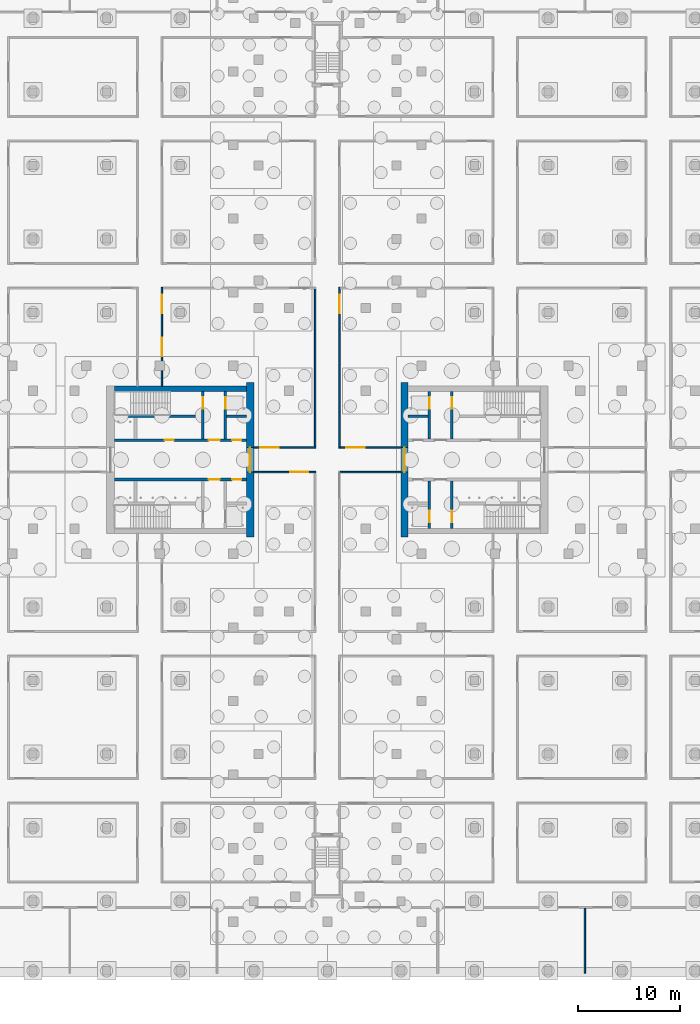
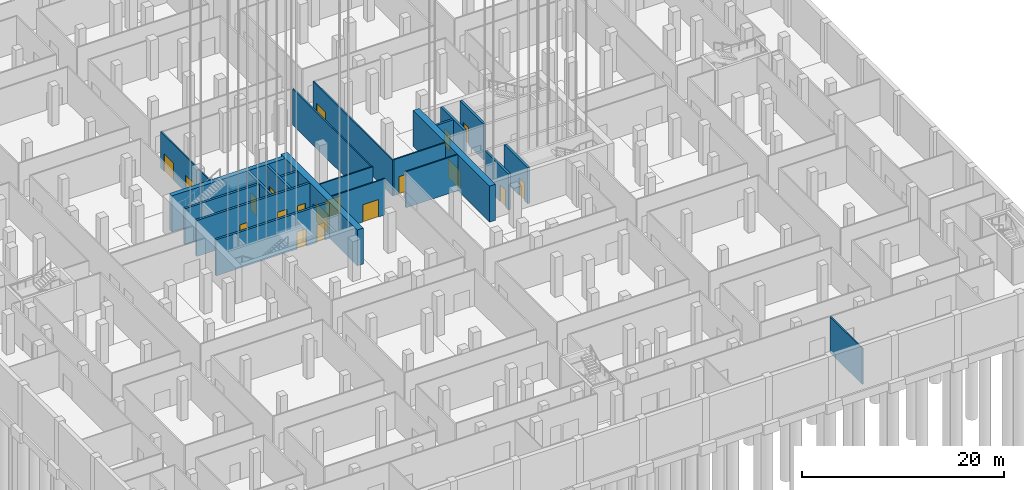
# One storey, part 11 of 54: 22 walls, 19 doors, 19 openings.
"""IFC4 building model written with IfcOpenShell, lengths in metres."""

from ifc_helpers import new_model, si_unit, direction, frame, frame_2d, origin, place, context, subcontext, project, spatial, rectangle, extrude, material, layer, layer_set, type_object, element, fill, save


model = new_model("IFC4")

# Units and contexts
model_context = context("Model", 3, precision=1e-05, world=origin(), true_north=direction((0.0, 1.0)))
body_context = subcontext(model_context, "Body", "Model", "MODEL_VIEW")
ifc_project = project(units=[si_unit("LENGTHUNIT", "METRE"), si_unit("AREAUNIT", "SQUARE_METRE"), si_unit("VOLUMEUNIT", "CUBIC_METRE"), si_unit("PLANEANGLEUNIT", "RADIAN"), si_unit("MASSUNIT", "GRAM", prefix="KILO")], contexts=[model_context])

# Site, building, storey
site_placement = place(None, origin())
site = spatial("IfcSite", under=ifc_project, at=site_placement, CompositionType="ELEMENT")
building_placement = place(site_placement, origin())
building = spatial("IfcBuilding", under=site, at=building_placement, Name="Fustian Cross Tower", CompositionType="ELEMENT")
storey_placement = place(building_placement, frame((0.0, 0.0, -4.800048828125)))
storey = spatial("IfcBuildingStorey", under=building, at=storey_placement, Name="B1", CompositionType="ELEMENT", Elevation=-4.800048828125)

# Wall, openings, doors
ifc_material_1 = material(Name="Plasterboard on steel stud", Category="steel")
ifc_layer_1 = layer(ifc_material_1, 0.14990234375)
ifc_layer_set_1 = layer_set([ifc_layer_1], Name="Plasterboard on steel stud")
wall_type_1 = type_object("IfcWallType", Name="COMPARTMENT WALL 150 EI 60", PredefinedType="PARTITIONING", material=ifc_layer_set_1)
wall_1_placement = place(storey_placement, frame((-16.199951171875, 7.199951171875, 0.0), z_axis=(0.0, 0.0, 1.0), x_axis=(0.0, 1.0, 0.0)))
wall_1 = element("IfcWall", 1, at=wall_1_placement, inside=storey, type_object=wall_type_1, Name="Partition 80", PredefinedType="PARTITIONING", context=body_context, shape_type="SweptSolid", body=[
    extrude(rectangle(XDim=9.675048828125, YDim=0.14990234375, at=frame_2d((4.83740234375, 0.0))), origin(), (0.0, 0.0, 1.0), 4.35009765625),
])
opening_1_placement = place(wall_1_placement, frame((2.949951171875, 0.0, 0.0)))
opening_1 = element("IfcOpeningElement", 2, at=opening_1_placement, cuts=wall_1, Name="Opening D01065", PredefinedType="OPENING", context=body_context, shape_type="SweptSolid", body=[
    extrude(rectangle(XDim=1.800048828125, YDim=2.10009765625, at=frame_2d((0.89990234375, 1.050048828125))), frame((0.0, 0.0849609375, 0.0), z_axis=(0.0, -1.0, 0.0), x_axis=(1.0, 0.0, 0.0)), (0.0, 0.0, 1.0), 0.169921875),
])
opening_2_placement = place(wall_1_placement, frame((7.14990234375, 0.0, 0.0)))
opening_2 = element("IfcOpeningElement", 3, at=opening_2_placement, cuts=wall_1, Name="Opening D01066", PredefinedType="OPENING", context=body_context, shape_type="SweptSolid", body=[
    extrude(rectangle(XDim=1.800048828125, YDim=2.10009765625, at=frame_2d((0.89990234375, 1.050048828125))), frame((0.0, 0.0849609375, 0.0), z_axis=(0.0, -1.0, 0.0), x_axis=(1.0, 0.0, 0.0)), (0.0, 0.0, 1.0), 0.169921875),
])
ifc_material_2 = material(Name="Timber fire door set", Category="wood")
door_type_1 = type_object("IfcDoorType", Name="FIRE DOUBLE DOOR 1800 FD30S", OperationType="DOUBLE_DOOR_DOUBLE_SWING", PredefinedType="DOOR", material=ifc_material_2)
door_1_placement = place(opening_1_placement, origin())
door_1 = element("IfcDoor", 4, at=door_1_placement, inside=storey, type_object=door_type_1, Name="Door D01065", OperationType="DOUBLE_DOOR_DOUBLE_SWING", OverallHeight=2.10009765625, OverallWidth=1.800048828125, PredefinedType="DOOR", context=body_context, shape_type="SweptSolid", body=[
    extrude(rectangle(XDim=1.800048828125, YDim=2.10009765625, at=frame_2d((0.89990234375, 1.050048828125))), frame((0.0, 0.02490234375, 0.0), z_axis=(0.0, -1.0, 0.0), x_axis=(1.0, 0.0, 0.0)), (0.0, 0.0, 1.0), 0.050048828125),
])
fill(opening_1, door_1)
door_2_placement = place(opening_2_placement, origin())
door_2 = element("IfcDoor", 5, at=door_2_placement, inside=storey, type_object=door_type_1, Name="Door D01066", OperationType="DOUBLE_DOOR_DOUBLE_SWING", OverallHeight=2.10009765625, OverallWidth=1.800048828125, PredefinedType="DOOR", context=body_context, shape_type="SweptSolid", body=[
    extrude(rectangle(XDim=1.800048828125, YDim=2.10009765625, at=frame_2d((0.89990234375, 1.050048828125))), frame((0.0, 0.02490234375, 0.0), z_axis=(0.0, -1.0, 0.0), x_axis=(1.0, 0.0, 0.0)), (0.0, 0.0, 1.0), 0.050048828125),
])
fill(opening_2, door_2)

# Wall, opening, door
wall_2_placement = place(storey_placement, frame((-7.199951171875, -1.199951171875, 0.0), z_axis=(0.0, 0.0, 1.0), x_axis=(1.0, 0.0, 0.0)))
wall_2 = element("IfcWall", 6, at=wall_2_placement, inside=storey, type_object=wall_type_1, Name="Partition 90", PredefinedType="PARTITIONING", context=body_context, shape_type="SweptSolid", body=[
    extrude(rectangle(XDim=6.074951171875, YDim=0.14990234375, at=frame_2d((3.03759765625, 0.0))), origin(), (0.0, 0.0, 1.0), 4.35009765625),
])
opening_3_placement = place(wall_2_placement, frame((3.550048828125, 0.0, 0.0)))
opening_3 = element("IfcOpeningElement", 7, at=opening_3_placement, cuts=wall_2, Name="Opening D01084", PredefinedType="OPENING", context=body_context, shape_type="SweptSolid", body=[
    extrude(rectangle(XDim=1.800048828125, YDim=2.10009765625, at=frame_2d((0.89990234375, 1.050048828125))), frame((0.0, 0.0849609375, 0.0), z_axis=(0.0, -1.0, 0.0), x_axis=(1.0, 0.0, 0.0)), (0.0, 0.0, 1.0), 0.169921875),
])
ifc_material_3 = material(Name="Timber fire door set", Category="wood")
door_type_2 = type_object("IfcDoorType", Name="FIRE DOUBLE DOOR 1800 FD60S", OperationType="DOUBLE_DOOR_DOUBLE_SWING", PredefinedType="DOOR", material=ifc_material_3)
door_3_placement = place(opening_3_placement, origin())
door_3 = element("IfcDoor", 8, at=door_3_placement, inside=storey, type_object=door_type_2, Name="Door D01084", OperationType="DOUBLE_DOOR_DOUBLE_SWING", OverallHeight=2.10009765625, OverallWidth=1.800048828125, PredefinedType="DOOR", context=body_context, shape_type="SweptSolid", body=[
    extrude(rectangle(XDim=1.800048828125, YDim=2.10009765625, at=frame_2d((0.89990234375, 1.050048828125))), frame((0.0, 0.02490234375, 0.0), z_axis=(0.0, -1.0, 0.0), x_axis=(1.0, 0.0, 0.0)), (0.0, 0.0, 1.0), 0.050048828125),
])
fill(opening_3, door_3)

wall_3_placement = place(storey_placement, frame((-7.199951171875, 1.199951171875, 0.0), z_axis=(0.0, 0.0, 1.0), x_axis=(1.0, 0.0, 0.0)))
wall_3 = element("IfcWall", 9, at=wall_3_placement, inside=storey, type_object=wall_type_1, Name="Partition 91", PredefinedType="PARTITIONING", context=body_context, shape_type="SweptSolid", body=[
    extrude(rectangle(XDim=6.074951171875, YDim=0.14990234375, at=frame_2d((3.03759765625, 0.0))), origin(), (0.0, 0.0, 1.0), 4.35009765625),
])
opening_4_placement = place(wall_3_placement, frame((0.64990234375, 0.0, 0.0)))
opening_4 = element("IfcOpeningElement", 10, at=opening_4_placement, cuts=wall_3, Name="Opening D01067", PredefinedType="OPENING", context=body_context, shape_type="SweptSolid", body=[
    extrude(rectangle(XDim=1.800048828125, YDim=2.10009765625, at=frame_2d((0.89990234375, 1.050048828125))), frame((0.0, 0.0849609375, 0.0), z_axis=(0.0, -1.0, 0.0), x_axis=(1.0, 0.0, 0.0)), (0.0, 0.0, 1.0), 0.169921875),
])
door_4_placement = place(opening_4_placement, frame((1.800048828125, 0.0, 0.0), z_axis=(0.0, 0.0, 1.0), x_axis=(-1.0, 0.0, 0.0)))
door_4 = element("IfcDoor", 11, at=door_4_placement, inside=storey, type_object=door_type_1, Name="Door D01067", OperationType="DOUBLE_DOOR_DOUBLE_SWING", OverallHeight=2.10009765625, OverallWidth=1.800048828125, PredefinedType="DOOR", context=body_context, shape_type="SweptSolid", body=[
    extrude(rectangle(XDim=1.800048828125, YDim=2.10009765625, at=frame_2d((0.89990234375, 1.050048828125))), frame((0.0, 0.02490234375, 0.0), z_axis=(0.0, -1.0, 0.0), x_axis=(1.0, 0.0, 0.0)), (0.0, 0.0, 1.0), 0.050048828125),
])
fill(opening_4, door_4)

# Walls
wall_4_placement = place(storey_placement, frame((-1.199951171875, 1.27490234375, 0.0), z_axis=(0.0, 0.0, 1.0), x_axis=(0.0, 1.0, 0.0)))
element("IfcWall", 12, at=wall_4_placement, inside=storey, type_object=wall_type_1, Name="Partition 97", PredefinedType="PARTITIONING", context=body_context, shape_type="SweptSolid", body=[
    extrude(rectangle(XDim=15.4501953125, YDim=0.14990234375, at=frame_2d((7.72509765625, 0.0))), origin(), (0.0, 0.0, 1.0), 4.35009765625),
])
wall_5_placement = place(storey_placement, frame((1.27490234375, -1.199951171875, 0.0), z_axis=(0.0, 0.0, 1.0), x_axis=(1.0, 0.0, 0.0)))
element("IfcWall", 13, at=wall_5_placement, inside=storey, type_object=wall_type_1, Name="Partition 107", PredefinedType="PARTITIONING", context=body_context, shape_type="SweptSolid", body=[
    extrude(rectangle(XDim=5.925048828125, YDim=0.14990234375, at=frame_2d((2.96240234375, 0.0))), origin(), (0.0, 0.0, 1.0), 4.35009765625),
])

# Wall, opening, door
wall_6_placement = place(storey_placement, frame((1.199951171875, 1.125, 0.0), z_axis=(0.0, 0.0, 1.0), x_axis=(0.0, 1.0, 0.0)))
wall_6 = element("IfcWall", 14, at=wall_6_placement, inside=storey, type_object=wall_type_1, Name="Partition 108", PredefinedType="PARTITIONING", context=body_context, shape_type="SweptSolid", body=[
    extrude(rectangle(XDim=15.75, YDim=0.14990234375, at=frame_2d((7.875, 0.0))), origin(), (0.0, 0.0, 1.0), 4.35009765625),
])
opening_5_placement = place(wall_6_placement, frame((13.22509765625, 0.0, 0.0)))
opening_5 = element("IfcOpeningElement", 15, at=opening_5_placement, cuts=wall_6, Name="Opening D01048", PredefinedType="OPENING", context=body_context, shape_type="SweptSolid", body=[
    extrude(rectangle(XDim=1.800048828125, YDim=2.10009765625, at=frame_2d((0.89990234375, 1.050048828125))), frame((0.0, 0.0849609375, 0.0), z_axis=(0.0, -1.0, 0.0), x_axis=(1.0, 0.0, 0.0)), (0.0, 0.0, 1.0), 0.169921875),
])
door_5_placement = place(opening_5_placement, origin())
door_5 = element("IfcDoor", 16, at=door_5_placement, inside=storey, type_object=door_type_2, Name="Door D01048", OperationType="DOUBLE_DOOR_DOUBLE_SWING", OverallHeight=2.10009765625, OverallWidth=1.800048828125, PredefinedType="DOOR", context=body_context, shape_type="SweptSolid", body=[
    extrude(rectangle(XDim=1.800048828125, YDim=2.10009765625, at=frame_2d((0.89990234375, 1.050048828125))), frame((0.0, 0.02490234375, 0.0), z_axis=(0.0, -1.0, 0.0), x_axis=(1.0, 0.0, 0.0)), (0.0, 0.0, 1.0), 0.050048828125),
])
fill(opening_5, door_5)

wall_7_placement = place(storey_placement, frame((1.27490234375, 1.199951171875, 0.0), z_axis=(0.0, 0.0, 1.0), x_axis=(1.0, 0.0, 0.0)))
wall_7 = element("IfcWall", 17, at=wall_7_placement, inside=storey, type_object=wall_type_1, Name="Partition 109", PredefinedType="PARTITIONING", context=body_context, shape_type="SweptSolid", body=[
    extrude(rectangle(XDim=5.925048828125, YDim=0.14990234375, at=frame_2d((2.96240234375, 0.0))), origin(), (0.0, 0.0, 1.0), 4.35009765625),
])
opening_6_placement = place(wall_7_placement, frame((0.574951171875, 0.0, 0.0)))
opening_6 = element("IfcOpeningElement", 18, at=opening_6_placement, cuts=wall_7, Name="Opening D01049", PredefinedType="OPENING", context=body_context, shape_type="SweptSolid", body=[
    extrude(rectangle(XDim=1.800048828125, YDim=2.10009765625, at=frame_2d((0.89990234375, 1.050048828125))), frame((0.0, 0.0849609375, 0.0), z_axis=(0.0, -1.0, 0.0), x_axis=(1.0, 0.0, 0.0)), (0.0, 0.0, 1.0), 0.169921875),
])
door_6_placement = place(opening_6_placement, frame((1.800048828125, 0.0, 0.0), z_axis=(0.0, 0.0, 1.0), x_axis=(-1.0, 0.0, 0.0)))
door_6 = element("IfcDoor", 19, at=door_6_placement, inside=storey, type_object=door_type_2, Name="Door D01049", OperationType="DOUBLE_DOOR_DOUBLE_SWING", OverallHeight=2.10009765625, OverallWidth=1.800048828125, PredefinedType="DOOR", context=body_context, shape_type="SweptSolid", body=[
    extrude(rectangle(XDim=1.800048828125, YDim=2.10009765625, at=frame_2d((0.89990234375, 1.050048828125))), frame((0.0, 0.02490234375, 0.0), z_axis=(0.0, -1.0, 0.0), x_axis=(1.0, 0.0, 0.0)), (0.0, 0.0, 1.0), 0.050048828125),
])
fill(opening_6, door_6)

# Walls
wall_8_placement = place(storey_placement, frame((25.199951171875, -50.219970703125, 0.0), z_axis=(0.0, 0.0, 1.0), x_axis=(0.0, 1.0, 0.0)))
element("IfcWall", 20, at=wall_8_placement, inside=storey, type_object=wall_type_1, Name="Partition 148", PredefinedType="PARTITIONING", context=body_context, shape_type="SweptSolid", body=[
    extrude(rectangle(XDim=6.344970703125, YDim=0.14990234375, at=frame_2d((3.17236328125, 0.0))), origin(), (0.0, 0.0, 1.0), 4.35009765625),
])
ifc_material_4 = material(Name="Concrete C80/95", Category="concrete")
ifc_layer_2 = layer(ifc_material_4, 0.5)
ifc_layer_set_2 = layer_set([ifc_layer_2], Name="Concrete C80/95")
wall_type_2 = type_object("IfcWallType", Name="CORE BASE WALL 500 C80/95", PredefinedType="SHEAR", material=ifc_layer_set_2)
wall_9_placement = place(storey_placement, frame((-7.89990234375, 6.949951171875, 0.0), z_axis=(0.0, 0.0, 1.0), x_axis=(-1.0, 0.0, 0.0)))
element("IfcWall", 21, at=wall_9_placement, inside=storey, type_object=wall_type_2, Name="Core facade wall", PredefinedType="SHEAR", context=body_context, shape_type="SweptSolid", body=[
    extrude(rectangle(XDim=12.9501953125, YDim=0.5, at=frame_2d((6.47509765625, 0.0))), origin(), (0.0, 0.0, 1.0), 4.35009765625),
])

# Wall, opening, door
ifc_material_5 = material(Name="Concrete C80/95", Category="concrete")
ifc_layer_3 = layer(ifc_material_5, 0.699951171875)
ifc_layer_set_3 = layer_set([ifc_layer_3], Name="Concrete C80/95")
wall_type_3 = type_object("IfcWallType", Name="CORE END WALL 700 C80/95", PredefinedType="SHEAR", material=ifc_layer_set_3)
wall_10_placement = place(storey_placement, frame((7.550048828125, -7.548095703125, 0.0), z_axis=(0.0, 0.0, 1.0), x_axis=(0.0, 1.0, 0.0)))
wall_10 = element("IfcWall", 22, at=wall_10_placement, inside=storey, type_object=wall_type_3, Name="Core end wall", PredefinedType="SHEAR", context=body_context, shape_type="SweptSolid", body=[
    extrude(rectangle(XDim=15.09619140625, YDim=0.699951171875, at=frame_2d((7.548095703125, 0.0))), origin(), (0.0, 0.0, 1.0), 4.35009765625),
])
opening_7_placement = place(wall_10_placement, frame((6.347900390625, 0.0, 0.0)))
opening_7 = element("IfcOpeningElement", 23, at=opening_7_placement, cuts=wall_10, Name="Opening CD-01-09", PredefinedType="OPENING", context=body_context, shape_type="SweptSolid", body=[
    extrude(rectangle(XDim=2.39990234375, YDim=2.199951171875, at=frame_2d((1.199951171875, 1.10009765625))), frame((0.0, 0.35986328125, 0.0), z_axis=(0.0, -1.0, 0.0), x_axis=(1.0, 0.0, 0.0)), (0.0, 0.0, 1.0), 0.719970703125),
])
ifc_material_6 = material(Name="Steel", Category="steel")
door_type_3 = type_object("IfcDoorType", Name="FIRE DOOR FD30S DOUBLE 2400X2200", OperationType="DOUBLE_DOOR_DOUBLE_SWING", PredefinedType="DOOR", material=ifc_material_6)
door_7_placement = place(opening_7_placement, frame((2.39990234375, 0.0, 0.0), z_axis=(0.0, 0.0, 1.0), x_axis=(-1.0, 0.0, 0.0)))
door_7 = element("IfcDoor", 24, at=door_7_placement, inside=storey, type_object=door_type_3, Name="Core door CD-01-09", OperationType="DOUBLE_DOOR_DOUBLE_SWING", OverallHeight=2.199951171875, OverallWidth=2.39990234375, PredefinedType="DOOR", context=body_context, shape_type="SweptSolid", body=[
    extrude(rectangle(XDim=2.39990234375, YDim=2.199951171875, at=frame_2d((1.199951171875, 1.10009765625))), frame((0.0, 0.02490234375, 0.0), z_axis=(0.0, -1.0, 0.0), x_axis=(1.0, 0.0, 0.0)), (0.0, 0.0, 1.0), 0.050048828125),
])
fill(opening_7, door_7)

wall_11_placement = place(storey_placement, frame((-7.550048828125, -7.548095703125, 0.0), z_axis=(0.0, 0.0, 1.0), x_axis=(0.0, 1.0, 0.0)))
wall_11 = element("IfcWall", 25, at=wall_11_placement, inside=storey, type_object=wall_type_3, Name="Core end wall", PredefinedType="SHEAR", context=body_context, shape_type="SweptSolid", body=[
    extrude(rectangle(XDim=15.09619140625, YDim=0.699951171875, at=frame_2d((7.548095703125, 0.0))), origin(), (0.0, 0.0, 1.0), 4.35009765625),
])
opening_8_placement = place(wall_11_placement, frame((6.347900390625, 0.0, 0.0)))
opening_8 = element("IfcOpeningElement", 26, at=opening_8_placement, cuts=wall_11, Name="Opening CD-01-20", PredefinedType="OPENING", context=body_context, shape_type="SweptSolid", body=[
    extrude(rectangle(XDim=2.39990234375, YDim=2.199951171875, at=frame_2d((1.199951171875, 1.10009765625))), frame((0.0, 0.35986328125, 0.0), z_axis=(0.0, -1.0, 0.0), x_axis=(1.0, 0.0, 0.0)), (0.0, 0.0, 1.0), 0.719970703125),
])
door_8_placement = place(opening_8_placement, origin())
door_8 = element("IfcDoor", 27, at=door_8_placement, inside=storey, type_object=door_type_3, Name="Core door CD-01-20", OperationType="DOUBLE_DOOR_DOUBLE_SWING", OverallHeight=2.199951171875, OverallWidth=2.39990234375, PredefinedType="DOOR", context=body_context, shape_type="SweptSolid", body=[
    extrude(rectangle(XDim=2.39990234375, YDim=2.199951171875, at=frame_2d((1.199951171875, 1.10009765625))), frame((0.0, 0.02490234375, 0.0), z_axis=(0.0, -1.0, 0.0), x_axis=(1.0, 0.0, 0.0)), (0.0, 0.0, 1.0), 0.050048828125),
])
fill(opening_8, door_8)

# Wall, openings, doors
ifc_material_7 = material(Name="Concrete C50/60", Category="concrete")
ifc_layer_4 = layer(ifc_material_7, 0.25)
ifc_layer_set_4 = layer_set([ifc_layer_4], Name="Concrete C50/60")
wall_type_4 = type_object("IfcWallType", Name="CORE LOBBY WALL 250 C50/60", PredefinedType="SHEAR", material=ifc_layer_set_4)
wall_12_placement = place(storey_placement, frame((-7.89990234375, 1.925048828125, 0.0), z_axis=(0.0, 0.0, 1.0), x_axis=(-1.0, 0.0, 0.0)))
wall_12 = element("IfcWall", 28, at=wall_12_placement, inside=storey, type_object=wall_type_4, Name="Core lobby wall", PredefinedType="SHEAR", context=body_context, shape_type="SweptSolid", body=[
    extrude(rectangle(XDim=12.9501953125, YDim=0.25, at=frame_2d((6.47509765625, 0.0))), origin(), (0.0, 0.0, 1.0), 4.35009765625),
])
opening_9_placement = place(wall_12_placement, frame((0.52490234375, 0.0, 0.0)))
opening_9 = element("IfcOpeningElement", 29, at=opening_9_placement, cuts=wall_12, Name="Opening CD-01-16", PredefinedType="OPENING", context=body_context, shape_type="SweptSolid", body=[
    extrude(rectangle(XDim=0.89990234375, YDim=2.10009765625, at=frame_2d((0.449951171875, 1.050048828125))), frame((0.0, 0.135009765625, 0.0), z_axis=(0.0, -1.0, 0.0), x_axis=(1.0, 0.0, 0.0)), (0.0, 0.0, 1.0), 0.27001953125),
])
opening_10_placement = place(wall_12_placement, frame((2.625, 0.0, 0.0)))
opening_10 = element("IfcOpeningElement", 30, at=opening_10_placement, cuts=wall_12, Name="Opening CD-01-18", PredefinedType="OPENING", context=body_context, shape_type="SweptSolid", body=[
    extrude(rectangle(XDim=1.10009765625, YDim=2.10009765625, at=frame_2d((0.550048828125, 1.050048828125))), frame((0.0, 0.135009765625, 0.0), z_axis=(0.0, -1.0, 0.0), x_axis=(1.0, 0.0, 0.0)), (0.0, 0.0, 1.0), 0.27001953125),
])
opening_11_placement = place(wall_12_placement, frame((7.125, 0.0, 0.0)))
opening_11 = element("IfcOpeningElement", 31, at=opening_11_placement, cuts=wall_12, Name="Opening CD-01-22", PredefinedType="OPENING", context=body_context, shape_type="SweptSolid", body=[
    extrude(rectangle(XDim=0.89990234375, YDim=2.10009765625, at=frame_2d((0.449951171875, 1.050048828125))), frame((0.0, 0.135009765625, 0.0), z_axis=(0.0, -1.0, 0.0), x_axis=(1.0, 0.0, 0.0)), (0.0, 0.0, 1.0), 0.27001953125),
])
ifc_material_8 = material(Name="Steel", Category="steel")
door_type_4 = type_object("IfcDoorType", Name="FIRE DOOR FD30S 900X2100", OperationType="SINGLE_SWING_LEFT", PredefinedType="DOOR", material=ifc_material_8)
door_9_placement = place(opening_11_placement, frame((0.89990234375, 0.0, 0.0), z_axis=(0.0, 0.0, 1.0), x_axis=(-1.0, 0.0, 0.0)))
door_9 = element("IfcDoor", 32, at=door_9_placement, inside=storey, type_object=door_type_4, Name="Core door CD-01-22", OperationType="SINGLE_SWING_RIGHT", OverallHeight=2.10009765625, OverallWidth=0.89990234375, PredefinedType="DOOR", context=body_context, shape_type="SweptSolid", body=[
    extrude(rectangle(XDim=0.89990234375, YDim=2.10009765625, at=frame_2d((0.449951171875, 1.050048828125))), frame((0.0, 0.02490234375, 0.0), z_axis=(0.0, -1.0, 0.0), x_axis=(1.0, 0.0, 0.0)), (0.0, 0.0, 1.0), 0.050048828125),
])
fill(opening_11, door_9)
ifc_material_9 = material(Name="Steel", Category="steel")
door_type_5 = type_object("IfcDoorType", Name="FIRE DOOR FD60S 1100X2100", OperationType="SINGLE_SWING_LEFT", PredefinedType="DOOR", material=ifc_material_9)
door_10_placement = place(opening_10_placement, frame((1.10009765625, 0.0, 0.0), z_axis=(0.0, 0.0, 1.0), x_axis=(-1.0, 0.0, 0.0)))
door_10 = element("IfcDoor", 33, at=door_10_placement, inside=storey, type_object=door_type_5, Name="Core door CD-01-18", OperationType="SINGLE_SWING_RIGHT", OverallHeight=2.10009765625, OverallWidth=1.10009765625, PredefinedType="DOOR", context=body_context, shape_type="SweptSolid", body=[
    extrude(rectangle(XDim=1.10009765625, YDim=2.10009765625, at=frame_2d((0.550048828125, 1.050048828125))), frame((0.0, 0.02490234375, 0.0), z_axis=(0.0, -1.0, 0.0), x_axis=(1.0, 0.0, 0.0)), (0.0, 0.0, 1.0), 0.050048828125),
])
fill(opening_10, door_10)
ifc_material_10 = material(Name="Steel", Category="steel")
door_type_6 = type_object("IfcDoorType", Name="FIRE DOOR FD60S 900X2100", OperationType="SINGLE_SWING_LEFT", PredefinedType="DOOR", material=ifc_material_10)
door_11_placement = place(opening_9_placement, frame((0.89990234375, 0.0, 0.0), z_axis=(0.0, 0.0, 1.0), x_axis=(-1.0, 0.0, 0.0)))
door_11 = element("IfcDoor", 34, at=door_11_placement, inside=storey, type_object=door_type_6, Name="Core door CD-01-16", OperationType="SINGLE_SWING_RIGHT", OverallHeight=2.10009765625, OverallWidth=0.89990234375, PredefinedType="DOOR", context=body_context, shape_type="SweptSolid", body=[
    extrude(rectangle(XDim=0.89990234375, YDim=2.10009765625, at=frame_2d((0.449951171875, 1.050048828125))), frame((0.0, 0.02490234375, 0.0), z_axis=(0.0, -1.0, 0.0), x_axis=(1.0, 0.0, 0.0)), (0.0, 0.0, 1.0), 0.050048828125),
])
fill(opening_9, door_11)

wall_13_placement = place(storey_placement, frame((-7.89990234375, -1.925048828125, 0.0), z_axis=(0.0, 0.0, 1.0), x_axis=(-1.0, 0.0, 0.0)))
wall_13 = element("IfcWall", 35, at=wall_13_placement, inside=storey, type_object=wall_type_4, Name="Core lobby wall", PredefinedType="SHEAR", context=body_context, shape_type="SweptSolid", body=[
    extrude(rectangle(XDim=12.9501953125, YDim=0.25, at=frame_2d((6.47509765625, 0.0))), origin(), (0.0, 0.0, 1.0), 4.35009765625),
])
opening_12_placement = place(wall_13_placement, frame((0.52490234375, 0.0, 0.0)))
opening_12 = element("IfcOpeningElement", 36, at=opening_12_placement, cuts=wall_13, Name="Opening CD-01-17", PredefinedType="OPENING", context=body_context, shape_type="SweptSolid", body=[
    extrude(rectangle(XDim=0.89990234375, YDim=2.10009765625, at=frame_2d((0.449951171875, 1.050048828125))), frame((0.0, 0.135009765625, 0.0), z_axis=(0.0, -1.0, 0.0), x_axis=(1.0, 0.0, 0.0)), (0.0, 0.0, 1.0), 0.27001953125),
])
opening_13_placement = place(wall_13_placement, frame((2.625, 0.0, 0.0)))
opening_13 = element("IfcOpeningElement", 37, at=opening_13_placement, cuts=wall_13, Name="Opening CD-01-19", PredefinedType="OPENING", context=body_context, shape_type="SweptSolid", body=[
    extrude(rectangle(XDim=1.10009765625, YDim=2.10009765625, at=frame_2d((0.550048828125, 1.050048828125))), frame((0.0, 0.135009765625, 0.0), z_axis=(0.0, -1.0, 0.0), x_axis=(1.0, 0.0, 0.0)), (0.0, 0.0, 1.0), 0.27001953125),
])
ifc_material_11 = material(Name="Steel", Category="steel")
door_type_7 = type_object("IfcDoorType", Name="FIRE DOOR FD30S 1100X2100", OperationType="SINGLE_SWING_LEFT", PredefinedType="DOOR", material=ifc_material_11)
door_12_placement = place(opening_13_placement, frame((1.10009765625, 0.0, 0.0), z_axis=(0.0, 0.0, 1.0), x_axis=(-1.0, 0.0, 0.0)))
door_12 = element("IfcDoor", 38, at=door_12_placement, inside=storey, type_object=door_type_7, Name="Core door CD-01-19", OperationType="SINGLE_SWING_RIGHT", OverallHeight=2.10009765625, OverallWidth=1.10009765625, PredefinedType="DOOR", context=body_context, shape_type="SweptSolid", body=[
    extrude(rectangle(XDim=1.10009765625, YDim=2.10009765625, at=frame_2d((0.550048828125, 1.050048828125))), frame((0.0, 0.02490234375, 0.0), z_axis=(0.0, -1.0, 0.0), x_axis=(1.0, 0.0, 0.0)), (0.0, 0.0, 1.0), 0.050048828125),
])
fill(opening_13, door_12)
door_13_placement = place(opening_12_placement, origin())
door_13 = element("IfcDoor", 39, at=door_13_placement, inside=storey, type_object=door_type_4, Name="Core door CD-01-17", OperationType="SINGLE_SWING_LEFT", OverallHeight=2.10009765625, OverallWidth=0.89990234375, PredefinedType="DOOR", context=body_context, shape_type="SweptSolid", body=[
    extrude(rectangle(XDim=0.89990234375, YDim=2.10009765625, at=frame_2d((0.449951171875, 1.050048828125))), frame((0.0, 0.02490234375, 0.0), z_axis=(0.0, -1.0, 0.0), x_axis=(1.0, 0.0, 0.0)), (0.0, 0.0, 1.0), 0.050048828125),
])
fill(opening_12, door_13)

# Wall
ifc_material_12 = material(Name="Concrete C50/60", Category="concrete")
ifc_layer_5 = layer(ifc_material_12, 0.25)
ifc_layer_set_5 = layer_set([ifc_layer_5], Name="Concrete C50/60")
wall_type_5 = type_object("IfcWallType", Name="CORE SHAFT WALL 250 C50/60", PredefinedType="SHEAR", material=ifc_layer_set_5)
wall_14_placement = place(storey_placement, frame((7.89990234375, 4.27490234375, 0.0), z_axis=(0.0, 0.0, 1.0), x_axis=(1.0, 0.0, 0.0)))
element("IfcWall", 40, at=wall_14_placement, inside=storey, type_object=wall_type_5, Name="Core shaft wall", PredefinedType="SHEAR", context=body_context, shape_type="SweptSolid", body=[
    extrude(rectangle(XDim=1.9501953125, YDim=0.25, at=frame_2d((0.97509765625, 0.0))), origin(), (0.0, 0.0, 1.0), 4.35009765625),
])

# Wall, opening, door
wall_15_placement = place(storey_placement, frame((9.97509765625, 2.050048828125, 0.0), z_axis=(0.0, 0.0, 1.0), x_axis=(0.0, 1.0, 0.0)))
wall_15 = element("IfcWall", 41, at=wall_15_placement, inside=storey, type_object=wall_type_5, Name="Core shaft wall", PredefinedType="SHEAR", context=body_context, shape_type="SweptSolid", body=[
    extrude(rectangle(XDim=4.64990234375, YDim=0.25, at=frame_2d((2.324951171875, 0.0))), origin(), (0.0, 0.0, 1.0), 4.35009765625),
])
opening_14_placement = place(wall_15_placement, frame((2.949951171875, 0.0, 0.0)))
opening_14 = element("IfcOpeningElement", 42, at=opening_14_placement, cuts=wall_15, Name="Opening LD", PredefinedType="OPENING", context=body_context, shape_type="SweptSolid", body=[
    extrude(rectangle(XDim=1.10009765625, YDim=2.10009765625, at=frame_2d((0.550048828125, 1.050048828125))), frame((0.0, 0.135009765625, 0.0), z_axis=(0.0, -1.0, 0.0), x_axis=(1.0, 0.0, 0.0)), (0.0, 0.0, 1.0), 0.27001953125),
])
ifc_material_13 = material(Name="Stainless steel", Category="steel")
door_type_8 = type_object("IfcDoorType", Name="LIFT LANDING DOOR 1100X2100", OperationType="SLIDING_TO_LEFT", PredefinedType="DOOR", material=ifc_material_13)
door_14_placement = place(opening_14_placement, origin())
door_14 = element("IfcDoor", 43, at=door_14_placement, inside=storey, type_object=door_type_8, Name="Landing door FL1", OperationType="SLIDING_TO_LEFT", OverallHeight=2.10009765625, OverallWidth=1.10009765625, PredefinedType="DOOR", context=body_context, shape_type="SweptSolid", body=[
    extrude(rectangle(XDim=1.10009765625, YDim=2.10009765625, at=frame_2d((0.550048828125, 1.050048828125))), frame((0.0, 0.02490234375, 0.0), z_axis=(0.0, -1.0, 0.0), x_axis=(1.0, 0.0, 0.0)), (0.0, 0.0, 1.0), 0.050048828125),
])
fill(opening_14, door_14)

wall_16_placement = place(storey_placement, frame((12.175048828125, 2.050048828125, 0.0), z_axis=(0.0, 0.0, 1.0), x_axis=(0.0, 1.0, 0.0)))
wall_16 = element("IfcWall", 44, at=wall_16_placement, inside=storey, type_object=wall_type_5, Name="Core shaft wall", PredefinedType="SHEAR", context=body_context, shape_type="SweptSolid", body=[
    extrude(rectangle(XDim=4.64990234375, YDim=0.25, at=frame_2d((2.324951171875, 0.0))), origin(), (0.0, 0.0, 1.0), 4.35009765625),
])
opening_15_placement = place(wall_16_placement, frame((2.949951171875, 0.0, 0.0)))
opening_15 = element("IfcOpeningElement", 45, at=opening_15_placement, cuts=wall_16, Name="Opening CD-01-03", PredefinedType="OPENING", context=body_context, shape_type="SweptSolid", body=[
    extrude(rectangle(XDim=1.10009765625, YDim=2.10009765625, at=frame_2d((0.550048828125, 1.050048828125))), frame((0.0, 0.135009765625, 0.0), z_axis=(0.0, -1.0, 0.0), x_axis=(1.0, 0.0, 0.0)), (0.0, 0.0, 1.0), 0.27001953125),
])
door_15_placement = place(opening_15_placement, frame((1.10009765625, 0.0, 0.0), z_axis=(0.0, 0.0, 1.0), x_axis=(-1.0, 0.0, 0.0)))
door_15 = element("IfcDoor", 46, at=door_15_placement, inside=storey, type_object=door_type_5, Name="Core door CD-01-03", OperationType="SINGLE_SWING_RIGHT", OverallHeight=2.10009765625, OverallWidth=1.10009765625, PredefinedType="DOOR", context=body_context, shape_type="SweptSolid", body=[
    extrude(rectangle(XDim=1.10009765625, YDim=2.10009765625, at=frame_2d((0.550048828125, 1.050048828125))), frame((0.0, 0.02490234375, 0.0), z_axis=(0.0, -1.0, 0.0), x_axis=(1.0, 0.0, 0.0)), (0.0, 0.0, 1.0), 0.050048828125),
])
fill(opening_15, door_15)

wall_17_placement = place(storey_placement, frame((9.97509765625, -2.050048828125, 0.0), z_axis=(0.0, 0.0, 1.0), x_axis=(0.0, -1.0, 0.0)))
wall_17 = element("IfcWall", 47, at=wall_17_placement, inside=storey, type_object=wall_type_5, Name="Core shaft wall", PredefinedType="SHEAR", context=body_context, shape_type="SweptSolid", body=[
    extrude(rectangle(XDim=4.64990234375, YDim=0.25, at=frame_2d((2.324951171875, 0.0))), origin(), (0.0, 0.0, 1.0), 4.35009765625),
])
opening_16_placement = place(wall_17_placement, frame((2.949951171875, 0.0, 0.0)))
opening_16 = element("IfcOpeningElement", 48, at=opening_16_placement, cuts=wall_17, Name="Opening LD", PredefinedType="OPENING", context=body_context, shape_type="SweptSolid", body=[
    extrude(rectangle(XDim=1.10009765625, YDim=2.10009765625, at=frame_2d((0.550048828125, 1.050048828125))), frame((0.0, 0.135009765625, 0.0), z_axis=(0.0, -1.0, 0.0), x_axis=(1.0, 0.0, 0.0)), (0.0, 0.0, 1.0), 0.27001953125),
])
door_16_placement = place(opening_16_placement, origin())
door_16 = element("IfcDoor", 49, at=door_16_placement, inside=storey, type_object=door_type_8, Name="Landing door SV1", OperationType="SLIDING_TO_LEFT", OverallHeight=2.10009765625, OverallWidth=1.10009765625, PredefinedType="DOOR", context=body_context, shape_type="SweptSolid", body=[
    extrude(rectangle(XDim=1.10009765625, YDim=2.10009765625, at=frame_2d((0.550048828125, 1.050048828125))), frame((0.0, 0.02490234375, 0.0), z_axis=(0.0, -1.0, 0.0), x_axis=(1.0, 0.0, 0.0)), (0.0, 0.0, 1.0), 0.050048828125),
])
fill(opening_16, door_16)

wall_18_placement = place(storey_placement, frame((12.175048828125, -2.050048828125, 0.0), z_axis=(0.0, 0.0, 1.0), x_axis=(0.0, -1.0, 0.0)))
wall_18 = element("IfcWall", 50, at=wall_18_placement, inside=storey, type_object=wall_type_5, Name="Core shaft wall", PredefinedType="SHEAR", context=body_context, shape_type="SweptSolid", body=[
    extrude(rectangle(XDim=4.64990234375, YDim=0.25, at=frame_2d((2.324951171875, 0.0))), origin(), (0.0, 0.0, 1.0), 4.35009765625),
])
opening_17_placement = place(wall_18_placement, frame((2.949951171875, 0.0, 0.0)))
opening_17 = element("IfcOpeningElement", 51, at=opening_17_placement, cuts=wall_18, Name="Opening CD-01-04", PredefinedType="OPENING", context=body_context, shape_type="SweptSolid", body=[
    extrude(rectangle(XDim=1.10009765625, YDim=2.10009765625, at=frame_2d((0.550048828125, 1.050048828125))), frame((0.0, 0.135009765625, 0.0), z_axis=(0.0, -1.0, 0.0), x_axis=(1.0, 0.0, 0.0)), (0.0, 0.0, 1.0), 0.27001953125),
])
door_17_placement = place(opening_17_placement, origin())
door_17 = element("IfcDoor", 52, at=door_17_placement, inside=storey, type_object=door_type_5, Name="Core door CD-01-04", OperationType="SINGLE_SWING_LEFT", OverallHeight=2.10009765625, OverallWidth=1.10009765625, PredefinedType="DOOR", context=body_context, shape_type="SweptSolid", body=[
    extrude(rectangle(XDim=1.10009765625, YDim=2.10009765625, at=frame_2d((0.550048828125, 1.050048828125))), frame((0.0, 0.02490234375, 0.0), z_axis=(0.0, -1.0, 0.0), x_axis=(1.0, 0.0, 0.0)), (0.0, 0.0, 1.0), 0.050048828125),
])
fill(opening_17, door_17)

# Walls
wall_19_placement = place(storey_placement, frame((-7.89990234375, 4.27490234375, 0.0), z_axis=(0.0, 0.0, 1.0), x_axis=(-1.0, 0.0, 0.0)))
element("IfcWall", 53, at=wall_19_placement, inside=storey, type_object=wall_type_5, Name="Core shaft wall", PredefinedType="SHEAR", context=body_context, shape_type="SweptSolid", body=[
    extrude(rectangle(XDim=1.9501953125, YDim=0.25, at=frame_2d((0.97509765625, 0.0))), origin(), (0.0, 0.0, 1.0), 4.35009765625),
])
wall_20_placement = place(storey_placement, frame((-12.300048828125, 4.27490234375, 0.0), z_axis=(0.0, 0.0, 1.0), x_axis=(-1.0, 0.0, 0.0)))
element("IfcWall", 54, at=wall_20_placement, inside=storey, type_object=wall_type_5, Name="Core shaft wall", PredefinedType="SHEAR", context=body_context, shape_type="SweptSolid", body=[
    extrude(rectangle(XDim=8.550048828125, YDim=0.25, at=frame_2d((4.27490234375, 0.0))), origin(), (0.0, 0.0, 1.0), 4.35009765625),
])

# Wall, opening, door
wall_21_placement = place(storey_placement, frame((-9.97509765625, 2.050048828125, 0.0), z_axis=(0.0, 0.0, 1.0), x_axis=(0.0, 1.0, 0.0)))
wall_21 = element("IfcWall", 55, at=wall_21_placement, inside=storey, type_object=wall_type_5, Name="Core shaft wall", PredefinedType="SHEAR", context=body_context, shape_type="SweptSolid", body=[
    extrude(rectangle(XDim=4.64990234375, YDim=0.25, at=frame_2d((2.324951171875, 0.0))), origin(), (0.0, 0.0, 1.0), 4.35009765625),
])
opening_18_placement = place(wall_21_placement, frame((2.949951171875, 0.0, 0.0)))
opening_18 = element("IfcOpeningElement", 56, at=opening_18_placement, cuts=wall_21, Name="Opening LD", PredefinedType="OPENING", context=body_context, shape_type="SweptSolid", body=[
    extrude(rectangle(XDim=1.10009765625, YDim=2.10009765625, at=frame_2d((0.550048828125, 1.050048828125))), frame((0.0, 0.135009765625, 0.0), z_axis=(0.0, -1.0, 0.0), x_axis=(1.0, 0.0, 0.0)), (0.0, 0.0, 1.0), 0.27001953125),
])
door_18_placement = place(opening_18_placement, origin())
door_18 = element("IfcDoor", 57, at=door_18_placement, inside=storey, type_object=door_type_8, Name="Landing door FL1W", OperationType="SLIDING_TO_LEFT", OverallHeight=2.10009765625, OverallWidth=1.10009765625, PredefinedType="DOOR", context=body_context, shape_type="SweptSolid", body=[
    extrude(rectangle(XDim=1.10009765625, YDim=2.10009765625, at=frame_2d((0.550048828125, 1.050048828125))), frame((0.0, 0.02490234375, 0.0), z_axis=(0.0, -1.0, 0.0), x_axis=(1.0, 0.0, 0.0)), (0.0, 0.0, 1.0), 0.050048828125),
])
fill(opening_18, door_18)

wall_22_placement = place(storey_placement, frame((-12.175048828125, 2.050048828125, 0.0), z_axis=(0.0, 0.0, 1.0), x_axis=(0.0, 1.0, 0.0)))
wall_22 = element("IfcWall", 58, at=wall_22_placement, inside=storey, type_object=wall_type_5, Name="Core shaft wall", PredefinedType="SHEAR", context=body_context, shape_type="SweptSolid", body=[
    extrude(rectangle(XDim=4.64990234375, YDim=0.25, at=frame_2d((2.324951171875, 0.0))), origin(), (0.0, 0.0, 1.0), 4.35009765625),
])
opening_19_placement = place(wall_22_placement, frame((2.949951171875, 0.0, 0.0)))
opening_19 = element("IfcOpeningElement", 59, at=opening_19_placement, cuts=wall_22, Name="Opening CD-01-14", PredefinedType="OPENING", context=body_context, shape_type="SweptSolid", body=[
    extrude(rectangle(XDim=1.10009765625, YDim=2.10009765625, at=frame_2d((0.550048828125, 1.050048828125))), frame((0.0, 0.135009765625, 0.0), z_axis=(0.0, -1.0, 0.0), x_axis=(1.0, 0.0, 0.0)), (0.0, 0.0, 1.0), 0.27001953125),
])
door_19_placement = place(opening_19_placement, origin())
door_19 = element("IfcDoor", 60, at=door_19_placement, inside=storey, type_object=door_type_5, Name="Core door CD-01-14", OperationType="SINGLE_SWING_LEFT", OverallHeight=2.10009765625, OverallWidth=1.10009765625, PredefinedType="DOOR", context=body_context, shape_type="SweptSolid", body=[
    extrude(rectangle(XDim=1.10009765625, YDim=2.10009765625, at=frame_2d((0.550048828125, 1.050048828125))), frame((0.0, 0.02490234375, 0.0), z_axis=(0.0, -1.0, 0.0), x_axis=(1.0, 0.0, 0.0)), (0.0, 0.0, 1.0), 0.050048828125),
])
fill(opening_19, door_19)

save(model, "model.ifc")
